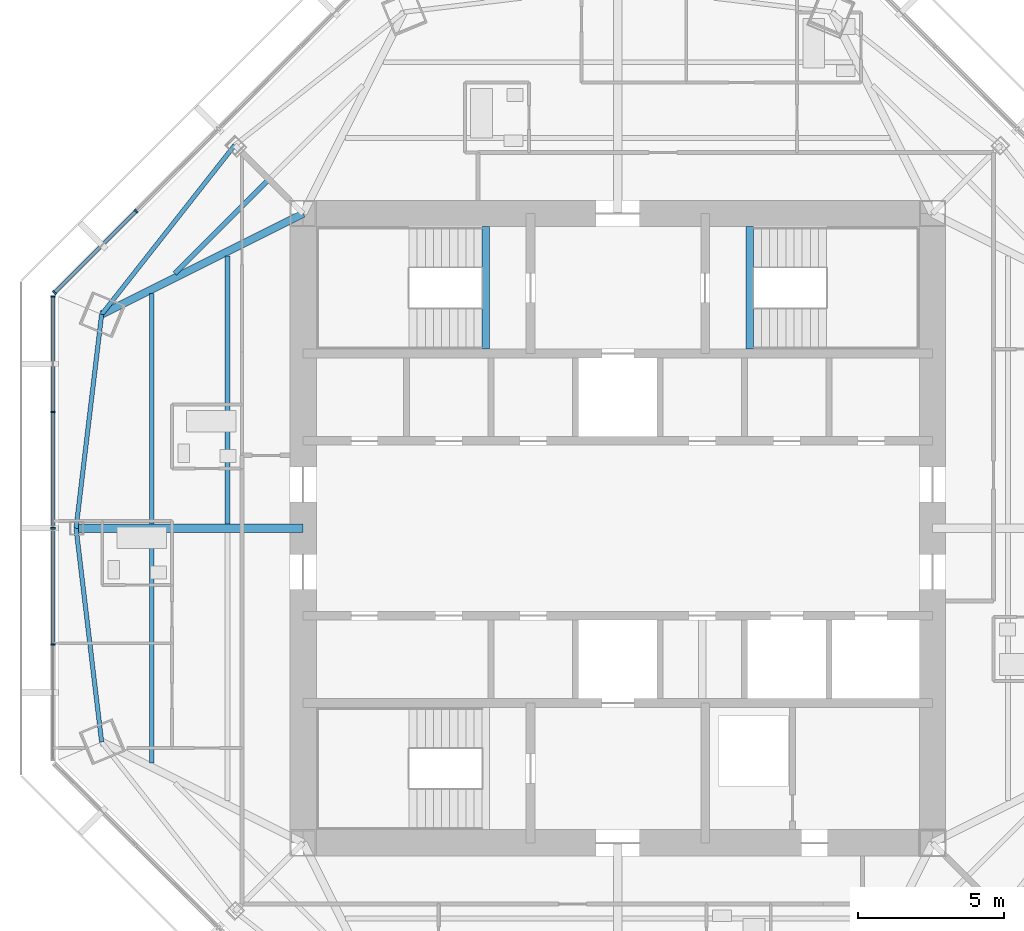
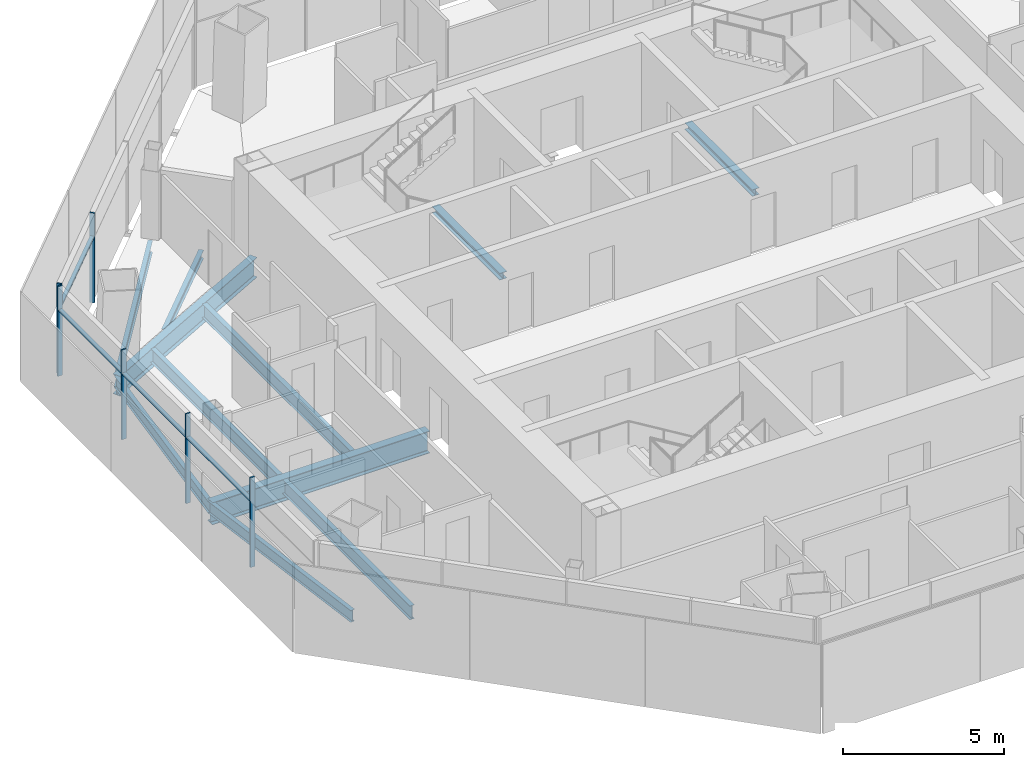
# One storey, part 4 of 15: 11 beams, 10 members, 2 elements without a shape of their own.
"""IFC4 building model written with IfcOpenShell, lengths in metres."""

from ifc_helpers import new_model, si_unit, direction, frame, origin, origin_2d, place, context, subcontext, project, spatial, rectangle, i_section, extrude, source, transform, mapped, material, material_profile, profile_set, type_object, type_shapes, element, aggregate, save


model = new_model("IFC4")

# Units and contexts
model_context = context("Model", 3, precision=1e-05, world=origin(), true_north=direction((0.0, 1.0)))
body_context = subcontext(model_context, "Body", "Model", "MODEL_VIEW")
ifc_project = project(units=[si_unit("LENGTHUNIT", "METRE"), si_unit("AREAUNIT", "SQUARE_METRE"), si_unit("VOLUMEUNIT", "CUBIC_METRE"), si_unit("PLANEANGLEUNIT", "RADIAN"), si_unit("MASSUNIT", "GRAM", prefix="KILO")], contexts=[model_context])

# Site, building, storey
site_placement = place(None, origin())
site = spatial("IfcSite", under=ifc_project, at=site_placement, CompositionType="ELEMENT")
building_placement = place(site_placement, origin())
building = spatial("IfcBuilding", under=site, at=building_placement, Name="Mashrafa Tower", CompositionType="ELEMENT")
storey_placement = place(building_placement, frame((0.0, 0.0, 304.800048828125)))
storey = spatial("IfcBuildingStorey", under=building, at=storey_placement, Name="L75", CompositionType="ELEMENT", Elevation=304.800048828125)

# Beams
ifc_material_1 = material(Name="Steel ASTM A992", Category="steel")
ifc_material_profile_1 = material_profile(ifc_material_1, i_section(OverallWidth=0.164794921875, OverallDepth=0.309814453125, WebThickness=0.005859375, FlangeThickness=0.009765625, FilletRadius=0.007568359375, at=origin_2d()), Name="W12X26")
ifc_profile_set_1 = profile_set([ifc_material_profile_1], Name="Steel ASTM A992")
beam_type_1 = type_object("IfcBeamType", Name="Beam W12X26", PredefinedType="BEAM", material=ifc_profile_set_1)
beam_1_placement = place(storey_placement, frame((-15.203857421875, 8.7470703125, -0.35498046875), z_axis=(0.707134049443, 0.707079511879, 0.0), x_axis=(-0.707079511879, 0.707134049443, 0.0)))
element("IfcBeam", 1, at=beam_1_placement, inside=storey, type_object=beam_type_1, Name="Floor beam L75 003", PredefinedType="BEAM", context=body_context, shape_type="SweptSolid", body=[
    extrude(i_section(OverallWidth=0.164794921875, OverallDepth=0.309814453125, WebThickness=0.005859375, FlangeThickness=0.009765625, FilletRadius=0.007568359375, at=origin_2d()), origin(), (0.0, 0.0, 1.0), 4.4765625),
])
ifc_material_2 = material(Name="Steel ASTM A992", Category="steel")
ifc_material_profile_2 = material_profile(ifc_material_2, i_section(OverallWidth=0.15234375, OverallDepth=0.449462890625, WebThickness=0.007568359375, FlangeThickness=0.0107421875, FilletRadius=0.01025390625, at=origin_2d()), Name="W18X35")
ifc_profile_set_2 = profile_set([ifc_material_profile_2], Name="Steel ASTM A992")
beam_type_2 = type_object("IfcBeamType", Name="Beam W18X35", PredefinedType="BEAM", material=ifc_profile_set_2)
for number, where, z_axis, x_axis, name in (
    (2, (-18.597900390625, 0.0, -0.4248046875), (0.118797493966, -0.99291850392, 0.0), (0.99291850392, 0.118797493966, 0.0), "Spandrel beam L75 041"),
    (3, (-17.7197265625, 7.33984375, -0.4248046875), (-0.118797493966, -0.99291850392, 0.0), (0.99291850392, -0.118797493966, 0.0), "Spandrel beam L75 043"),
    (4, (-13.15087890625, 13.15087890625, -0.4248046875), (-0.61807532044, -0.786118883034, 0.0), (0.786118883034, -0.61807532044, 0.0), "Spandrel beam L75 045"),
):
    element("IfcBeam", number, at=place(storey_placement, frame(where, z_axis=z_axis, x_axis=x_axis)), inside=storey, type_object=beam_type_2, Name=name, PredefinedType="BEAM", context=body_context, shape_type="SweptSolid", body=[
        extrude(i_section(OverallWidth=0.15234375, OverallDepth=0.449462890625, WebThickness=0.007568359375, FlangeThickness=0.0107421875, FilletRadius=0.01025390625, at=origin_2d()), origin(), (0.0, 0.0, 1.0), 7.39208984375),
    ])
ifc_material_3 = material(Name="Steel ASTM A992", Category="steel")
ifc_material_profile_3 = material_profile(ifc_material_3, i_section(OverallWidth=0.165771484375, OverallDepth=0.5283203125, WebThickness=0.009765625, FlangeThickness=0.013671875, FilletRadius=0.012939453125, at=origin_2d()), Name="W21X50")
ifc_profile_set_3 = profile_set([ifc_material_profile_3], Name="Steel ASTM A992")
beam_type_3 = type_object("IfcBeamType", Name="Beam W21X50", PredefinedType="BEAM", material=ifc_profile_set_3)
for number, where, z_axis, x_axis, name in (
    (5, (-15.998779296875, -8.05126953125, -0.464111328125), (0.0, 1.0, 0.0), (-1.0, 0.0, 0.0), "Floor beam L75 001"),
    (6, (-15.998779296875, 0.14599609375, -0.464111328125), (0.0, 1.0, 0.0), (-1.0, 0.0, 0.0), "Floor beam L75 002"),
):
    element("IfcBeam", number, at=place(storey_placement, frame(where, z_axis=z_axis, x_axis=x_axis)), inside=storey, type_object=beam_type_3, Name=name, PredefinedType="BEAM", context=body_context, shape_type="SweptSolid", body=[
        extrude(i_section(OverallWidth=0.165771484375, OverallDepth=0.5283203125, WebThickness=0.009765625, FlangeThickness=0.013671875, FilletRadius=0.012939453125, at=origin_2d()), origin(), (0.0, 0.0, 1.0), 7.9052734375),
    ])
beam_2_placement = place(storey_placement, frame((-13.3994140625, 0.14599609375, -0.464111328125), z_axis=(0.0, 1.0, 0.0), x_axis=(-1.0, 0.0, 0.0)))
element("IfcBeam", 7, at=beam_2_placement, inside=storey, type_object=beam_type_3, Name="Floor beam L75 005", PredefinedType="BEAM", context=body_context, shape_type="SweptSolid", body=[
    extrude(i_section(OverallWidth=0.165771484375, OverallDepth=0.5283203125, WebThickness=0.009765625, FlangeThickness=0.013671875, FilletRadius=0.012939453125, at=origin_2d()), origin(), (0.0, 0.0, 1.0), 9.205078125),
])
ifc_material_4 = material(Name="Steel ASTM A992", Category="steel")
ifc_material_profile_4 = material_profile(ifc_material_4, i_section(OverallWidth=0.2666015625, OverallDepth=0.75439453125, WebThickness=0.01318359375, FlangeThickness=0.01708984375, FilletRadius=0.0166015625, at=origin_2d()), Name="W30X99")
ifc_profile_set_4 = profile_set([ifc_material_profile_4], Name="Steel ASTM A992")
beam_type_4 = type_object("IfcBeamType", Name="Beam W30X99", PredefinedType="BEAM", material=ifc_profile_set_4)
beam_3_placement = place(storey_placement, frame((-10.800048828125, 10.800048828125, -0.5771484375), z_axis=(-0.894408256248, -0.447251463, 0.0), x_axis=(0.447251463, -0.894408256248, 0.0)))
element("IfcBeam", 8, at=beam_3_placement, inside=storey, type_object=beam_type_4, Name="Radial girder L75 029", PredefinedType="BEAM", context=body_context, shape_type="SweptSolid", body=[
    extrude(i_section(OverallWidth=0.2666015625, OverallDepth=0.75439453125, WebThickness=0.01318359375, FlangeThickness=0.01708984375, FilletRadius=0.0166015625, at=origin_2d()), origin(), (0.0, 0.0, 1.0), 7.736572265625),
])
ifc_material_5 = material(Name="Steel ASTM A992", Category="steel")
ifc_material_profile_5 = material_profile(ifc_material_5, i_section(OverallWidth=0.2919921875, OverallDepth=0.8408203125, WebThickness=0.0146484375, FlangeThickness=0.021728515625, FilletRadius=0.017333984375, at=origin_2d()), Name="W33X130")
ifc_profile_set_5 = profile_set([ifc_material_profile_5], Name="Steel ASTM A992")
beam_type_5 = type_object("IfcBeamType", Name="Beam W33X130", PredefinedType="BEAM", material=ifc_profile_set_5)
beam_4_placement = place(storey_placement, frame((-10.800048828125, 0.0, -0.620361328125), z_axis=(-1.0, 0.0, 0.0), x_axis=(0.0, -1.0, 0.0)))
element("IfcBeam", 9, at=beam_4_placement, inside=storey, type_object=beam_type_5, Name="Radial girder L75 028", PredefinedType="BEAM", context=body_context, shape_type="SweptSolid", body=[
    extrude(i_section(OverallWidth=0.2919921875, OverallDepth=0.8408203125, WebThickness=0.0146484375, FlangeThickness=0.021728515625, FilletRadius=0.017333984375, at=origin_2d()), origin(), (0.0, 0.0, 1.0), 7.7978515625),
])
ifc_material_6 = material(Name="Steel ASTM A992", Category="steel")
ifc_material_profile_6 = material_profile(ifc_material_6, i_section(OverallWidth=0.25390625, OverallDepth=0.25390625, WebThickness=0.008544921875, FlangeThickness=0.01416015625, FilletRadius=0.010009765625, at=origin_2d()), Name="W10X49")
ifc_profile_set_6 = profile_set([ifc_material_profile_6], Name="Steel ASTM A992")
beam_type_6 = type_object("IfcBeamType", Name="Hoistway beam W10X49", PredefinedType="BEAM", material=ifc_profile_set_6)
for number, where, z_axis, x_axis, name in (
    (10, (-4.530029296875, 6.14990234375, -0.3271484375), (0.0, 1.0, 0.0), (-1.0, 0.0, 0.0), "Stair S1 landing beam L75"),
    (11, (4.530029296875, 6.14990234375, -0.3271484375), (0.0, 1.0, 0.0), (-1.0, 0.0, 0.0), "Stair S2 landing beam L75"),
):
    element("IfcBeam", number, at=place(storey_placement, frame(where, z_axis=z_axis, x_axis=x_axis)), inside=storey, type_object=beam_type_6, Name=name, PredefinedType="BEAM", context=body_context, shape_type="SweptSolid", body=[
        extrude(i_section(OverallWidth=0.25390625, OverallDepth=0.25390625, WebThickness=0.008544921875, FlangeThickness=0.01416015625, FilletRadius=0.010009765625, at=origin_2d()), origin(), (0.0, 0.0, 1.0), 4.2001953125),
    ])

# Curtain wall, members
ifc_material_7 = material(Name="Unitised aluminium curtain wall", Category="aluminium")
curtain_wall_type = type_object("IfcCurtainWallType", Name="Apartment curtain wall, zone 4 CW-D 160 deep", PredefinedType="NOTDEFINED", material=ifc_material_7)
curtain_wall_1_placement = place(storey_placement, origin())
curtain_wall_1 = element("IfcCurtainWall", 12, at=curtain_wall_1_placement, inside=storey, type_object=curtain_wall_type, Name="Apartment curtain wall, zone 4 L75 north-west", PredefinedType="NOTDEFINED")
ifc_material_8 = material(Name="Extruded aluminium mullion", Category="aluminium")
ifc_material_profile_7 = material_profile(ifc_material_8, rectangle(XDim=0.159912109375, YDim=0.06005859375, at=origin_2d()), Name="Mullion 60x160")
ifc_profile_set_7 = profile_set([ifc_material_profile_7], Name="Extruded aluminium mullion")
member_type_1 = type_object("IfcMemberType", Name="Mullion CW-D 60 x 160", PredefinedType="MULLION", material=ifc_profile_set_7)
shared_shape_1 = source(origin(), body_context, "Body", "SweptSolid", [
    extrude(rectangle(XDim=0.159912109375, YDim=0.06005859375, at=origin_2d()), origin(), (0.0, 0.0, 1.0), 3.39990234375),
])
type_shapes(member_type_1, [shared_shape_1])
member_1_placement = place(storey_placement, frame((-16.537109375, 10.8876953125, 0.0), z_axis=(0.0, 0.0, 1.0), x_axis=(0.707106781187, -0.707106781187, 0.0)))
member_1 = element("IfcMember", 13, at=member_1_placement, type_object=member_type_1, Name="CW-D mullion 4", PredefinedType="MULLION", context=body_context, shape_type="MappedRepresentation", body=[
    mapped(shared_shape_1, transform((0.0, 0.0, 0.0))),
])
member_2_placement = place(storey_placement, frame((-19.340576171875, 8.084228515625, 0.0), z_axis=(0.0, 0.0, 1.0), x_axis=(0.707106781187, -0.707106781187, 0.0)))
member_2 = element("IfcMember", 14, at=member_2_placement, type_object=member_type_1, Name="CW-D mullion 5", PredefinedType="MULLION", context=body_context, shape_type="MappedRepresentation", body=[
    mapped(shared_shape_1, transform((0.0, 0.0, 0.0))),
])

curtain_wall_2_placement = place(storey_placement, origin())
curtain_wall_2 = element("IfcCurtainWall", 15, at=curtain_wall_2_placement, inside=storey, type_object=curtain_wall_type, Name="Apartment curtain wall, zone 4 L75 west", PredefinedType="NOTDEFINED")
member_3_placement = place(storey_placement, frame((-19.392333984375, 7.95947265625, 0.0), z_axis=(0.0, 0.0, 1.0), x_axis=(1.0, 0.0, 0.0)))
member_3 = element("IfcMember", 16, at=member_3_placement, type_object=member_type_1, Name="CW-D mullion 1", PredefinedType="MULLION", context=body_context, shape_type="MappedRepresentation", body=[
    mapped(shared_shape_1, transform((0.0, 0.0, 0.0))),
])
member_4_placement = place(storey_placement, frame((-19.392333984375, 3.99462890625, 0.0), z_axis=(0.0, 0.0, 1.0), x_axis=(1.0, 0.0, 0.0)))
member_4 = element("IfcMember", 17, at=member_4_placement, type_object=member_type_1, Name="CW-D mullion 2", PredefinedType="MULLION", context=body_context, shape_type="MappedRepresentation", body=[
    mapped(shared_shape_1, transform((0.0, 0.0, 0.0))),
])
member_5_placement = place(storey_placement, frame((-19.392333984375, 0.0, 0.0), z_axis=(0.0, 0.0, 1.0), x_axis=(1.0, 0.0, 0.0)))
member_5 = element("IfcMember", 18, at=member_5_placement, type_object=member_type_1, Name="CW-D mullion 3", PredefinedType="MULLION", context=body_context, shape_type="MappedRepresentation", body=[
    mapped(shared_shape_1, transform((0.0, 0.0, 0.0))),
])
member_6_placement = place(storey_placement, frame((-19.392333984375, -3.99462890625, 0.0), z_axis=(0.0, 0.0, 1.0), x_axis=(1.0, 0.0, 0.0)))
member_6 = element("IfcMember", 19, at=member_6_placement, type_object=member_type_1, Name="CW-D mullion 4", PredefinedType="MULLION", context=body_context, shape_type="MappedRepresentation", body=[
    mapped(shared_shape_1, transform((0.0, 0.0, 0.0))),
])
ifc_material_9 = material(Name="Extruded aluminium transom", Category="aluminium")
ifc_material_profile_8 = material_profile(ifc_material_9, rectangle(XDim=0.1279296875, YDim=0.074951171875, at=origin_2d()), Name="Transom 75x128")
ifc_profile_set_8 = profile_set([ifc_material_profile_8], Name="Extruded aluminium transom")
member_type_2 = type_object("IfcMemberType", Name="Transom CW-D 75 x 128", PredefinedType="MULLION", material=ifc_profile_set_8)
shared_shape_2 = source(origin(), body_context, "Body", "SweptSolid", [
    extrude(rectangle(XDim=0.1279296875, YDim=0.074951171875, at=origin_2d()), origin(), (0.0, 0.0, 1.0), 3.90478515625),
])
member_7_placement = place(storey_placement, frame((-19.392333984375, 7.929443359375, 2.5), z_axis=(0.0, -1.0, 0.0), x_axis=(1.0, 0.0, 0.0)))
member_7 = element("IfcMember", 20, at=member_7_placement, type_object=member_type_2, Name="CW-D transom 1", PredefinedType="MULLION", context=body_context, shape_type="MappedRepresentation", body=[
    mapped(shared_shape_2, transform((0.0, 0.0, 0.0))),
])
shared_shape_3 = source(origin(), body_context, "Body", "SweptSolid", [
    extrude(rectangle(XDim=0.1279296875, YDim=0.074951171875, at=origin_2d()), origin(), (0.0, 0.0, 1.0), 3.9345703125),
])
member_8_placement = place(storey_placement, frame((-19.392333984375, 3.964599609375, 2.5), z_axis=(0.0, -1.0, 0.0), x_axis=(1.0, 0.0, 0.0)))
member_8 = element("IfcMember", 21, at=member_8_placement, type_object=member_type_2, Name="CW-D transom 2", PredefinedType="MULLION", context=body_context, shape_type="MappedRepresentation", body=[
    mapped(shared_shape_3, transform((0.0, 0.0, 0.0))),
])
member_9_placement = place(storey_placement, frame((-19.392333984375, -0.030029296875, 2.5), z_axis=(0.0, -1.0, 0.0), x_axis=(1.0, 0.0, 0.0)))
member_9 = element("IfcMember", 22, at=member_9_placement, type_object=member_type_2, Name="CW-D transom 3", PredefinedType="MULLION", context=body_context, shape_type="MappedRepresentation", body=[
    mapped(shared_shape_3, transform((0.0, 0.0, 0.0))),
])
aggregate(curtain_wall_2, [member_3, member_4, member_5, member_6, member_7, member_8, member_9])

# Member
shared_shape_4 = source(origin(), body_context, "Body", "SweptSolid", [
    extrude(rectangle(XDim=0.1279296875, YDim=0.074951171875, at=origin_2d()), origin(), (0.0, 0.0, 1.0), 3.904541015625),
])
type_shapes(member_type_2, [shared_shape_2, shared_shape_3, shared_shape_4])
member_10_placement = place(storey_placement, frame((-16.558349609375, 10.866455078125, 2.5), z_axis=(-0.707106781187, -0.707106781187, 0.0), x_axis=(0.707106781187, -0.707106781187, 0.0)))
member_10 = element("IfcMember", 23, at=member_10_placement, type_object=member_type_2, Name="CW-D transom 4", PredefinedType="MULLION", context=body_context, shape_type="MappedRepresentation", body=[
    mapped(shared_shape_4, transform((0.0, 0.0, 0.0))),
])

aggregate(curtain_wall_1, [member_1, member_2, member_10])

save(model, "model.ifc")
